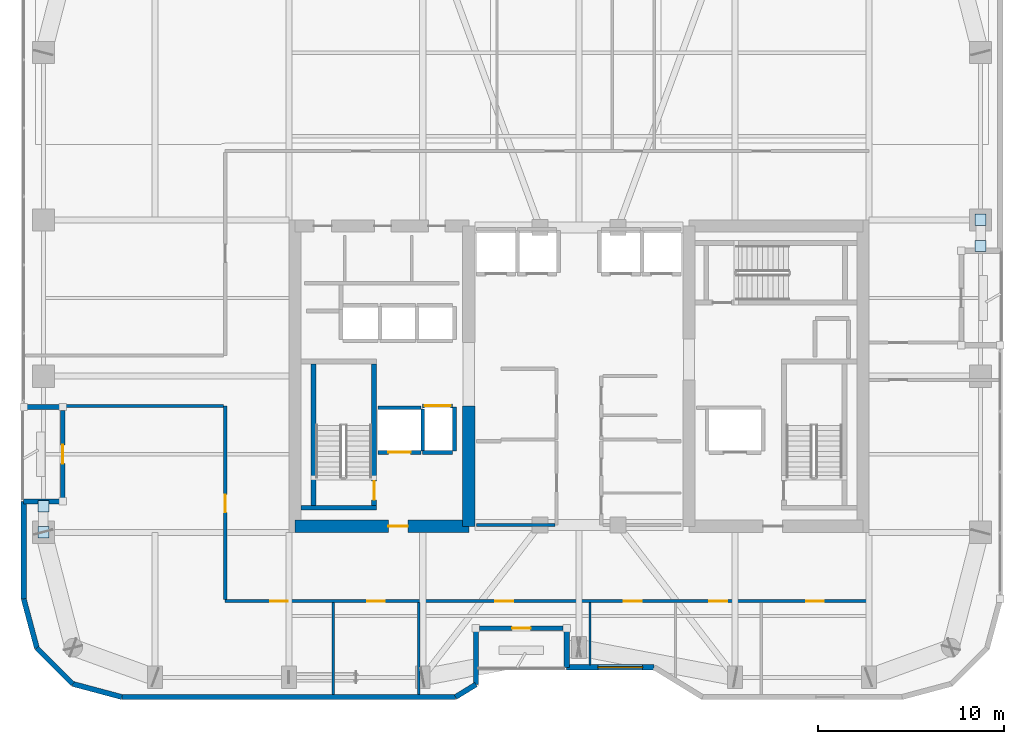
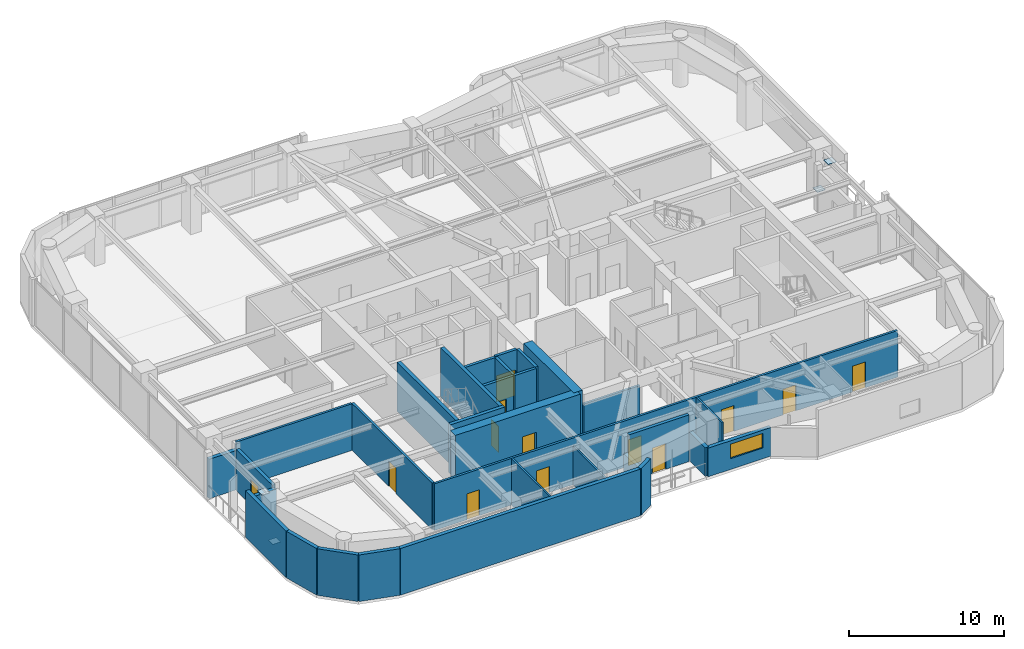
# One storey, part 24 of 30: 31 walls, 13 doors, 4 plates, 1 window, 14 openings.
"""IFC4 building model written with IfcOpenShell, lengths in metres."""

from ifc_helpers import new_model, si_unit, direction, frame, frame_2d, origin, origin_2d, place, context, subcontext, project, spatial, rectangle, extrude, material, layer, layer_set, type_object, element, fill, save


model = new_model("IFC4")

# Units and contexts
model_context = context("Model", 3, precision=1e-05, world=origin(), true_north=direction((0.0, 1.0)))
body_context = subcontext(model_context, "Body", "Model", "MODEL_VIEW")
ifc_project = project(units=[si_unit("LENGTHUNIT", "METRE"), si_unit("AREAUNIT", "SQUARE_METRE"), si_unit("VOLUMEUNIT", "CUBIC_METRE"), si_unit("PLANEANGLEUNIT", "RADIAN"), si_unit("MASSUNIT", "GRAM", prefix="KILO")], contexts=[model_context])

# Site, building, storey
site_placement = place(None, origin())
site = spatial("IfcSite", under=ifc_project, at=site_placement, CompositionType="ELEMENT")
building_placement = place(site_placement, origin())
building = spatial("IfcBuilding", under=site, at=building_placement, Name="Kiyonajd Concourse Tower", CompositionType="ELEMENT")
storey_placement = place(building_placement, frame((0.0, 0.0, 201.89990234375)))
storey = spatial("IfcBuildingStorey", under=building, at=storey_placement, Name="L51", CompositionType="ELEMENT", Elevation=201.89990234375)

# Plates
ifc_material_1 = material(Name="Steel ASTM A572 Grade 50", Category="steel")
ifc_layer_1 = layer(ifc_material_1, 0.028076171875)
ifc_layer_set_1 = layer_set([ifc_layer_1], Name="Steel ASTM A572 Grade 50")
plate_type = type_object("IfcPlateType", Name="PL-CAP-450", PredefinedType="USERDEFINED", material=ifc_layer_set_1)
for number, where, z_axis, x_axis, name in (
    (1, (19.199951171875, 27.595458984375, 0.27587890625), (0.0, 0.0, 1.0), (1.0, 0.0, 0.0), "L51 Hollow Brace End Cap Plate PBW"),
    (2, (19.199951171875, 29.004638671875, 3.326171875), (0.0, 0.0, 1.0), (1.0, 0.0, 0.0), "L51 Hollow Brace Top Cap Plate PBW"),
    (3, (69.60009765625, 44.404541015625, 0.27587890625), (0.0, 0.0, 1.0), (1.0, 0.0, 0.0), "L51 Hollow Brace End Cap Plate PBE"),
    (4, (69.60009765625, 42.995361328125, 3.326171875), (0.0, 0.0, 1.0), (1.0, 0.0, 0.0), "L51 Hollow Brace Top Cap Plate PBE"),
):
    element("IfcPlate", number, at=place(storey_placement, frame(where, z_axis=z_axis, x_axis=x_axis)), inside=storey, type_object=plate_type, Name=name, ObjectType="CAP PLATE", PredefinedType="USERDEFINED", context=body_context, shape_type="SweptSolid", body=[
        extrude(rectangle(XDim=0.60791015625, YDim=0.60791015625, at=origin_2d()), origin(), (0.0, 0.0, 1.0), 0.028076171875),
    ])

# Wall
ifc_material_2 = material(Name="Concrete C60/75", Category="concrete")
ifc_layer_2 = layer(ifc_material_2, 0.64990234375)
ifc_layer_set_2 = layer_set([ifc_layer_2], Name="Concrete C60/75")
wall_type_1 = type_object("IfcWallType", Name="WL-CORE-650", PredefinedType="SHEAR", material=ifc_layer_set_2)
wall_1_placement = place(storey_placement, frame((42.074951171875, 27.925048828125, 0.0), z_axis=(0.0, 0.0, 1.0), x_axis=(0.0, 1.0, 0.0)))
element("IfcWall", 5, at=wall_1_placement, inside=storey, type_object=wall_type_1, Name="L51 West Core Inner South Shear Wall", PredefinedType="SHEAR", context=body_context, shape_type="SweptSolid", body=[
    extrude(rectangle(XDim=6.474853515625, YDim=0.64990234375, at=frame_2d((3.2373046875, 0.0))), origin(), (0.0, 0.0, 1.0), 3.900146484375),
])

# Wall, opening, door
wall_2_placement = place(storey_placement, frame((32.72509765625, 27.925048828125, 0.0), z_axis=(0.0, 0.0, 1.0), x_axis=(1.0, 0.0, 0.0)))
wall_2 = element("IfcWall", 6, at=wall_2_placement, inside=storey, type_object=wall_type_1, Name="L51 West Core South Shear Wall", PredefinedType="SHEAR", context=body_context, shape_type="SweptSolid", body=[
    extrude(rectangle(XDim=9.349853515625, YDim=0.64990234375, at=frame_2d((4.6748046875, 0.0))), origin(), (0.0, 0.0, 1.0), 3.900146484375),
])
opening_1_placement = place(wall_2_placement, frame((5.02490234375, 0.0, 0.0)))
opening_1 = element("IfcOpeningElement", 7, at=opening_1_placement, cuts=wall_2, Name="Opening DF5", PredefinedType="OPENING", context=body_context, shape_type="SweptSolid", body=[
    extrude(rectangle(XDim=1.050048828125, YDim=2.0400390625, at=frame_2d((0.52490234375, 1.02001953125))), frame((0.0, 0.3349609375, 0.0), z_axis=(0.0, -1.0, 0.0), x_axis=(1.0, 0.0, 0.0)), (0.0, 0.0, 1.0), 0.669921875),
])
ifc_material_3 = material(Name="Brushed Stainless Steel Cab Assembly", Category="steel")
door_type_1 = type_object("IfcDoorType", Name="DR-FD45-1050", OperationType="NOTDEFINED", PredefinedType="DOOR", material=ifc_material_3)
door_1_placement = place(opening_1_placement, origin())
door_1 = element("IfcDoor", 8, at=door_1_placement, inside=storey, type_object=door_type_1, Name="L51 Firefighting Lift Lobby W Smoke Door", OperationType="SINGLE_SWING_LEFT", OverallHeight=2.0400390625, OverallWidth=1.050048828125, PredefinedType="DOOR", context=body_context, shape_type="SweptSolid", body=[
    extrude(rectangle(XDim=1.050048828125, YDim=2.0400390625, at=frame_2d((0.52490234375, 1.02001953125))), frame((0.0, 0.02490234375, 0.0), z_axis=(0.0, -1.0, 0.0), x_axis=(1.0, 0.0, 0.0)), (0.0, 0.0, 1.0), 0.050048828125),
])
fill(opening_1, door_1)

# Walls
ifc_material_4 = material(Name="Precast concrete C50/60", Category="concrete")
ifc_layer_3 = layer(ifc_material_4, 0.280029296875)
ifc_layer_set_3 = layer_set([ifc_layer_3], Name="Precast concrete C50/60")
wall_type_2 = type_object("IfcWallType", Name="WL-EXT-280", PredefinedType="SOLIDWALL", material=ifc_layer_set_3)
wall_3_placement = place(storey_placement, frame((18.848388671875, 21.37255859375, 0.0), z_axis=(0.0, 0.0, 1.0), x_axis=(-0.258672222976, 0.9659651552, 0.0)))
element("IfcWall", 9, at=wall_3_placement, inside=storey, type_object=wall_type_2, Name="L51 Exterior Concrete Frame Wall 00", PredefinedType="SOLIDWALL", context=body_context, shape_type="SweptSolid", body=[
    extrude(rectangle(XDim=2.739013671875, YDim=0.280029296875, at=frame_2d((1.36962890625, 0.0))), origin(), (0.0, 0.0, 1.0), 3.68017578125),
])
wall_4_placement = place(storey_placement, frame((18.139892578125, 24.018310546875, 0.0), z_axis=(0.0, 0.0, 1.0), x_axis=(0.0, 1.0, 0.0)))
element("IfcWall", 10, at=wall_4_placement, inside=storey, type_object=wall_type_2, Name="L51 Exterior Concrete Frame Wall 01", PredefinedType="SOLIDWALL", context=body_context, shape_type="SweptSolid", body=[
    extrude(rectangle(XDim=5.24169921875, YDim=0.280029296875, at=frame_2d((2.620849609375, 0.0))), origin(), (0.0, 0.0, 1.0), 3.68017578125),
])
for number, where, z_axis, x_axis, name in (
    (11, (18.139892578125, 29.260009765625, 0.0), (0.0, 0.0, 1.0), (1.0, 0.0, 0.0), "L51 Exterior Concrete Frame Wall 02"),
    (12, (20.239990234375, 34.340087890625, 0.0), (0.0, 0.0, 1.0), (-1.0, 0.0, 0.0), "L51 Exterior Concrete Frame Wall 04"),
):
    element("IfcWall", number, at=place(storey_placement, frame(where, z_axis=z_axis, x_axis=x_axis)), inside=storey, type_object=wall_type_2, Name=name, PredefinedType="SOLIDWALL", context=body_context, shape_type="SweptSolid", body=[
        extrude(rectangle(XDim=2.10009765625, YDim=0.280029296875, at=frame_2d((1.050048828125, 0.0))), origin(), (0.0, 0.0, 1.0), 3.1162109375),
    ])

# Wall, opening, window
wall_5_placement = place(storey_placement, frame((52.03955078125, 20.340087890625, 0.0), z_axis=(0.0, 0.0, 1.0), x_axis=(-1.0, 0.0, 0.0)))
wall_5 = element("IfcWall", 13, at=wall_5_placement, inside=storey, type_object=wall_type_2, Name="L51 Exterior Concrete Frame Wall 30", PredefinedType="SOLIDWALL", context=body_context, shape_type="SweptSolid", body=[
    extrude(rectangle(XDim=4.699462890625, YDim=0.280029296875, at=frame_2d((2.349609375, 0.0))), origin(), (0.0, 0.0, 1.0), 2.26513671875),
])
opening_2_placement = place(wall_5_placement, frame((0.6201171875, 0.0, 0.85009765625)))
opening_2 = element("IfcOpeningElement", 14, at=opening_2_placement, cuts=wall_5, Name="Opening WN4", PredefinedType="OPENING", context=body_context, shape_type="SweptSolid", body=[
    extrude(rectangle(XDim=2.39990234375, YDim=1.14990234375, at=frame_2d((1.199951171875, 0.574951171875))), frame((0.0, 0.14990234375, 0.0), z_axis=(0.0, -1.0, 0.0), x_axis=(1.0, 0.0, 0.0)), (0.0, 0.0, 1.0), 0.300048828125),
])
ifc_material_5 = material(Name="Double Low-E Insulated Glass", Category="glass")
window_type = type_object("IfcWindowType", Name="WN-VIS-2400x1150", PartitioningType="SINGLE_PANEL", PredefinedType="WINDOW", material=ifc_material_5)
window_placement = place(opening_2_placement, origin())
window = element("IfcWindow", 15, at=window_placement, inside=storey, type_object=window_type, Name="L51 Modular Facade Vision Window 30", OverallHeight=1.14990234375, OverallWidth=2.39990234375, PartitioningType="SINGLE_PANEL", PredefinedType="WINDOW", context=body_context, shape_type="SweptSolid", body=[
    extrude(rectangle(XDim=2.39990234375, YDim=1.14990234375, at=frame_2d((1.199951171875, 0.574951171875))), frame((0.0, 0.030029296875, 0.0), z_axis=(0.0, -1.0, 0.0), x_axis=(1.0, 0.0, 0.0)), (0.0, 0.0, 1.0), 0.06005859375),
])
fill(opening_2, window)

# Walls
wall_6_placement = place(storey_placement, frame((47.340087890625, 20.340087890625, 0.0), z_axis=(0.0, 0.0, 1.0), x_axis=(0.0, 1.0, 0.0)))
element("IfcWall", 16, at=wall_6_placement, inside=storey, type_object=wall_type_2, Name="L51 Exterior Concrete Frame Wall 31", PredefinedType="SOLIDWALL", context=body_context, shape_type="SweptSolid", body=[
    extrude(rectangle(XDim=2.099853515625, YDim=0.280029296875, at=frame_2d((1.0498046875, 0.0))), origin(), (0.0, 0.0, 1.0), 2.26513671875),
])
wall_7_placement = place(storey_placement, frame((42.4599609375, 22.43994140625, 0.0), z_axis=(0.0, 0.0, 1.0), x_axis=(0.0, -1.0, 0.0)))
element("IfcWall", 17, at=wall_7_placement, inside=storey, type_object=wall_type_2, Name="L51 Exterior Concrete Frame Wall 33", PredefinedType="SOLIDWALL", context=body_context, shape_type="SweptSolid", body=[
    extrude(rectangle(XDim=3.023681640625, YDim=0.280029296875, at=frame_2d((1.51171875, 0.0))), origin(), (0.0, 0.0, 1.0), 2.26513671875),
])
wall_8_placement = place(storey_placement, frame((42.4599609375, 19.416259765625, 0.0), z_axis=(0.0, 0.0, 1.0), x_axis=(-0.851801140441, -0.523865266212, 0.0)))
element("IfcWall", 18, at=wall_8_placement, inside=storey, type_object=wall_type_2, Name="L51 Exterior Concrete Frame Wall 34", PredefinedType="SOLIDWALL", context=body_context, shape_type="SweptSolid", body=[
    extrude(rectangle(XDim=1.291015625, YDim=0.280029296875, at=frame_2d((0.6455078125, 0.0))), origin(), (0.0, 0.0, 1.0), 3.68017578125),
])
wall_9_placement = place(storey_placement, frame((41.3603515625, 18.739990234375, 0.0), z_axis=(0.0, 0.0, 1.0), x_axis=(-1.0, 0.0, 0.0)))
element("IfcWall", 19, at=wall_9_placement, inside=storey, type_object=wall_type_2, Name="L51 Exterior Concrete Frame Wall 35", PredefinedType="SOLIDWALL", context=body_context, shape_type="SweptSolid", body=[
    extrude(rectangle(XDim=17.94189453125, YDim=0.280029296875, at=frame_2d((8.970947265625, 0.0))), origin(), (0.0, 0.0, 1.0), 3.68017578125),
])
wall_10_placement = place(storey_placement, frame((23.41845703125, 18.739990234375, 0.0), z_axis=(0.0, 0.0, 1.0), x_axis=(-0.965971118627, 0.258649952598, 0.0)))
element("IfcWall", 20, at=wall_10_placement, inside=storey, type_object=wall_type_2, Name="L51 Exterior Concrete Frame Wall 36", PredefinedType="SOLIDWALL", context=body_context, shape_type="SweptSolid", body=[
    extrude(rectangle(XDim=2.7392578125, YDim=0.280029296875, at=frame_2d((1.36962890625, 0.0))), origin(), (0.0, 0.0, 1.0), 3.68017578125),
])
wall_11_placement = place(storey_placement, frame((20.7724609375, 19.448486328125, 0.0), z_axis=(0.0, 0.0, 1.0), x_axis=(-0.707106781187, 0.707106781187, 0.0)))
element("IfcWall", 21, at=wall_11_placement, inside=storey, type_object=wall_type_2, Name="L51 Exterior Concrete Frame Wall 37", PredefinedType="SOLIDWALL", context=body_context, shape_type="SweptSolid", body=[
    extrude(rectangle(XDim=2.720947265625, YDim=0.280029296875, at=frame_2d((1.3603515625, 0.0))), origin(), (0.0, 0.0, 1.0), 3.68017578125),
])

# Wall, opening, door
ifc_layer_4 = layer(ifc_material_4, 0.239990234375)
ifc_layer_set_4 = layer_set([ifc_layer_4], Name="Precast concrete C50/60")
wall_type_3 = type_object("IfcWallType", Name="WL-LOG-240", PredefinedType="SOLIDWALL", material=ifc_layer_set_4)
wall_12_placement = place(storey_placement, frame((20.239990234375, 29.455078125, 0.0), z_axis=(0.0, 0.0, 1.0), x_axis=(0.0, 1.0, 0.0)))
wall_12 = element("IfcWall", 22, at=wall_12_placement, inside=storey, type_object=wall_type_3, Name="L51 Recessed Loggia Thermal Wall LOG-W", PredefinedType="SOLIDWALL", context=body_context, shape_type="SweptSolid", body=[
    extrude(rectangle(XDim=4.68994140625, YDim=0.239990234375, at=frame_2d((2.344970703125, 0.0))), origin(), (0.0, 0.0, 1.0), 3.248046875),
])
opening_3_placement = place(wall_12_placement, frame((1.844970703125, 0.0, 0.0)))
opening_3 = element("IfcOpeningElement", 23, at=opening_3_placement, cuts=wall_12, Name="Opening DL1", PredefinedType="OPENING", context=body_context, shape_type="SweptSolid", body=[
    extrude(rectangle(XDim=1.0, YDim=2.02001953125, at=frame_2d((0.5, 1.010009765625))), frame((0.0, 0.1298828125, 0.0), z_axis=(0.0, -1.0, 0.0), x_axis=(1.0, 0.0, 0.0)), (0.0, 0.0, 1.0), 0.260009765625),
])
ifc_material_6 = material(Name="Thermally Broken Anodised Aluminium", Category="aluminium")
door_type_2 = type_object("IfcDoorType", Name="DR-LOG-1000", OperationType="NOTDEFINED", PredefinedType="DOOR", material=ifc_material_6)
door_2_placement = place(opening_3_placement, origin())
door_2 = element("IfcDoor", 24, at=door_2_placement, inside=storey, type_object=door_type_2, Name="L51 Engawa Loggia Access Door LOG-W", OperationType="SINGLE_SWING_LEFT", OverallHeight=2.02001953125, OverallWidth=1.0, PredefinedType="DOOR", context=body_context, shape_type="SweptSolid", body=[
    extrude(rectangle(XDim=1.0, YDim=2.02001953125, at=frame_2d((0.5, 1.010009765625))), frame((0.0, 0.02490234375, 0.0), z_axis=(0.0, -1.0, 0.0), x_axis=(1.0, 0.0, 0.0)), (0.0, 0.0, 1.0), 0.050048828125),
])
fill(opening_3, door_2)

wall_13_placement = place(storey_placement, frame((47.14501953125, 22.43994140625, 0.0), z_axis=(0.0, 0.0, 1.0), x_axis=(-1.0, 0.0, 0.0)))
wall_13 = element("IfcWall", 25, at=wall_13_placement, inside=storey, type_object=wall_type_3, Name="L51 Recessed Loggia Thermal Wall LOG-S", PredefinedType="SOLIDWALL", context=body_context, shape_type="SweptSolid", body=[
    extrude(rectangle(XDim=4.489990234375, YDim=0.239990234375, at=frame_2d((2.2451171875, 0.0))), origin(), (0.0, 0.0, 1.0), 3.68017578125),
])
opening_4_placement = place(wall_13_placement, frame((1.7451171875, 0.0, 0.0)))
opening_4 = element("IfcOpeningElement", 26, at=opening_4_placement, cuts=wall_13, Name="Opening DL1", PredefinedType="OPENING", context=body_context, shape_type="SweptSolid", body=[
    extrude(rectangle(XDim=1.0, YDim=2.02001953125, at=frame_2d((0.5, 1.010009765625))), frame((0.0, 0.1298828125, 0.0), z_axis=(0.0, -1.0, 0.0), x_axis=(1.0, 0.0, 0.0)), (0.0, 0.0, 1.0), 0.260009765625),
])
door_3_placement = place(opening_4_placement, origin())
door_3 = element("IfcDoor", 27, at=door_3_placement, inside=storey, type_object=door_type_2, Name="L51 Engawa Loggia Access Door LOG-S", OperationType="SINGLE_SWING_RIGHT", OverallHeight=2.02001953125, OverallWidth=1.0, PredefinedType="DOOR", context=body_context, shape_type="SweptSolid", body=[
    extrude(rectangle(XDim=1.0, YDim=2.02001953125, at=frame_2d((0.5, 1.010009765625))), frame((0.0, 0.02490234375, 0.0), z_axis=(0.0, -1.0, 0.0), x_axis=(1.0, 0.0, 0.0)), (0.0, 0.0, 1.0), 0.050048828125),
])
fill(opening_4, door_3)

# Walls
ifc_material_7 = material(Name="Gypsum Board on Cold-Formed Steel Stud", Category="steel")
ifc_layer_5 = layer(ifc_material_7, 0.125)
ifc_layer_set_5 = layer_set([ifc_layer_5], Name="Gypsum Board on Cold-Formed Steel Stud")
wall_type_4 = type_object("IfcWallType", Name="WL-PART-125", PredefinedType="PARTITIONING", material=ifc_layer_set_5)
wall_14_placement = place(storey_placement, frame((34.780029296875, 18.875, 0.0), z_axis=(0.0, 0.0, 1.0), x_axis=(0.0, 1.0, 0.0)))
element("IfcWall", 28, at=wall_14_placement, inside=storey, type_object=wall_type_4, Name="L51 Interior Partition Wall", PredefinedType="PARTITIONING", context=body_context, shape_type="SweptSolid", body=[
    extrude(rectangle(XDim=4.93798828125, YDim=0.125, at=frame_2d((2.468994140625, 0.0))), origin(), (0.0, 0.0, 1.0), 3.68017578125),
])
wall_15_placement = place(storey_placement, frame((39.3798828125, 18.875, 0.0), z_axis=(0.0, 0.0, 1.0), x_axis=(0.0, 1.0, 0.0)))
element("IfcWall", 29, at=wall_15_placement, inside=storey, type_object=wall_type_4, Name="L51 Interior Partition Wall", PredefinedType="PARTITIONING", context=body_context, shape_type="SweptSolid", body=[
    extrude(rectangle(XDim=4.93798828125, YDim=0.125, at=frame_2d((2.468994140625, 0.0))), origin(), (0.0, 0.0, 1.0), 3.043212890625),
])
wall_16_placement = place(storey_placement, frame((48.590087890625, 20.47509765625, 0.0), z_axis=(0.0, 0.0, 1.0), x_axis=(0.0, 1.0, 0.0)))
element("IfcWall", 30, at=wall_16_placement, inside=storey, type_object=wall_type_4, Name="L51 Interior Partition Wall", PredefinedType="PARTITIONING", context=body_context, shape_type="SweptSolid", body=[
    extrude(rectangle(XDim=3.337890625, YDim=0.125, at=frame_2d((1.6689453125, 0.0))), origin(), (0.0, 0.0, 1.0), 3.68017578125),
])

# Wall, opening, door
ifc_layer_6 = layer(ifc_material_7, 0.2099609375)
ifc_layer_set_6 = layer_set([ifc_layer_6], Name="Gypsum Board on Cold-Formed Steel Stud")
wall_type_5 = type_object("IfcWallType", Name="WL-SHAFT-210", PredefinedType="PARTITIONING", material=ifc_layer_set_6)
wall_17_placement = place(storey_placement, frame((37.199951171875, 31.89990234375, 0.0), z_axis=(0.0, 0.0, 1.0), x_axis=(1.0, 0.0, 0.0)))
wall_17 = element("IfcWall", 31, at=wall_17_placement, inside=storey, type_object=wall_type_5, Name="L51 Shaft Enclosure Wall", PredefinedType="PARTITIONING", context=body_context, shape_type="SweptSolid", body=[
    extrude(rectangle(XDim=2.300048828125, YDim=0.2099609375, at=frame_2d((1.14990234375, 0.0))), origin(), (0.0, 0.0, 1.0), 3.68017578125),
])
opening_5_placement = place(wall_17_placement, frame((0.550048828125, 0.0, 0.0)))
opening_5 = element("IfcOpeningElement", 32, at=opening_5_placement, cuts=wall_17, Name="Opening LD2", PredefinedType="OPENING", context=body_context, shape_type="SweptSolid", body=[
    extrude(rectangle(XDim=1.199951171875, YDim=2.0400390625, at=frame_2d((0.60009765625, 1.02001953125))), frame((0.0, 0.114990234375, 0.0), z_axis=(0.0, -1.0, 0.0), x_axis=(1.0, 0.0, 0.0)), (0.0, 0.0, 1.0), 0.22998046875),
])
door_type_3 = type_object("IfcDoorType", Name="DR-LD-1200", OperationType="DOUBLE_DOOR_SLIDING", PredefinedType="DOOR", material=ifc_material_3)
door_4_placement = place(opening_5_placement, origin())
door_4 = element("IfcDoor", 33, at=door_4_placement, inside=storey, type_object=door_type_3, Name="L51 Lift FFL1 Sliding Landing Door", OperationType="DOUBLE_DOOR_SLIDING", OverallHeight=2.0400390625, OverallWidth=1.199951171875, PredefinedType="DOOR", context=body_context, shape_type="SweptSolid", body=[
    extrude(rectangle(XDim=1.199951171875, YDim=2.0400390625, at=frame_2d((0.60009765625, 1.02001953125))), frame((0.0, 0.02490234375, 0.0), z_axis=(0.0, -1.0, 0.0), x_axis=(1.0, 0.0, 0.0)), (0.0, 0.0, 1.0), 0.050048828125),
])
fill(opening_5, door_4)

# Walls
wall_18_placement = place(storey_placement, frame((37.199951171875, 34.300048828125, 0.0), z_axis=(0.0, 0.0, 1.0), x_axis=(1.0, 0.0, 0.0)))
element("IfcWall", 34, at=wall_18_placement, inside=storey, type_object=wall_type_5, Name="L51 Shaft Enclosure Wall", PredefinedType="PARTITIONING", context=body_context, shape_type="SweptSolid", body=[
    extrude(rectangle(XDim=2.300048828125, YDim=0.2099609375, at=frame_2d((1.14990234375, 0.0))), origin(), (0.0, 0.0, 1.0), 3.68017578125),
])
wall_19_placement = place(storey_placement, frame((39.60009765625, 31.9599609375, 0.0), z_axis=(0.0, 0.0, 1.0), x_axis=(0.0, 1.0, 0.0)))
element("IfcWall", 35, at=wall_19_placement, inside=storey, type_object=wall_type_5, Name="L51 Shaft Enclosure Wall", PredefinedType="PARTITIONING", context=body_context, shape_type="SweptSolid", body=[
    extrude(rectangle(XDim=2.280029296875, YDim=0.2099609375, at=frame_2d((1.14013671875, 0.0))), origin(), (0.0, 0.0, 1.0), 3.68017578125),
])

# Wall, opening, door
wall_20_placement = place(storey_placement, frame((39.60009765625, 34.39990234375, 0.0), z_axis=(0.0, 0.0, 1.0), x_axis=(1.0, 0.0, 0.0)))
wall_20 = element("IfcWall", 36, at=wall_20_placement, inside=storey, type_object=wall_type_5, Name="L51 Shaft Enclosure Wall", PredefinedType="PARTITIONING", context=body_context, shape_type="SweptSolid", body=[
    extrude(rectangle(XDim=1.599853515625, YDim=0.2099609375, at=frame_2d((0.7998046875, 0.0))), origin(), (0.0, 0.0, 1.0), 3.68017578125),
])
opening_6_placement = place(wall_20_placement, frame((0.10009765625, 0.0, 0.0)))
opening_6 = element("IfcOpeningElement", 37, at=opening_6_placement, cuts=wall_20, Name="Opening LD3", PredefinedType="OPENING", context=body_context, shape_type="SweptSolid", body=[
    extrude(rectangle(XDim=1.39990234375, YDim=2.06005859375, at=frame_2d((0.699951171875, 1.030029296875))), frame((0.0, 0.114990234375, 0.0), z_axis=(0.0, -1.0, 0.0), x_axis=(1.0, 0.0, 0.0)), (0.0, 0.0, 1.0), 0.22998046875),
])
door_type_4 = type_object("IfcDoorType", Name="DR-LD-1400", OperationType="DOUBLE_DOOR_SLIDING", PredefinedType="DOOR", material=ifc_material_3)
door_5_placement = place(opening_6_placement, origin())
door_5 = element("IfcDoor", 38, at=door_5_placement, inside=storey, type_object=door_type_4, Name="L51 Lift SVL1 Sliding Landing Door", OperationType="DOUBLE_DOOR_SLIDING", OverallHeight=2.06005859375, OverallWidth=1.39990234375, PredefinedType="DOOR", context=body_context, shape_type="SweptSolid", body=[
    extrude(rectangle(XDim=1.39990234375, YDim=2.06005859375, at=frame_2d((0.699951171875, 1.030029296875))), frame((0.0, 0.02490234375, 0.0), z_axis=(0.0, -1.0, 0.0), x_axis=(1.0, 0.0, 0.0)), (0.0, 0.0, 1.0), 0.050048828125),
])
fill(opening_6, door_5)

# Walls
wall_21_placement = place(storey_placement, frame((39.60009765625, 31.89990234375, 0.0), z_axis=(0.0, 0.0, 1.0), x_axis=(1.0, 0.0, 0.0)))
element("IfcWall", 39, at=wall_21_placement, inside=storey, type_object=wall_type_5, Name="L51 Shaft Enclosure Wall", PredefinedType="PARTITIONING", context=body_context, shape_type="SweptSolid", body=[
    extrude(rectangle(XDim=1.599853515625, YDim=0.2099609375, at=frame_2d((0.7998046875, 0.0))), origin(), (0.0, 0.0, 1.0), 3.68017578125),
])
wall_22_placement = place(storey_placement, frame((41.300048828125, 31.9599609375, 0.0), z_axis=(0.0, 0.0, 1.0), x_axis=(0.0, 1.0, 0.0)))
element("IfcWall", 40, at=wall_22_placement, inside=storey, type_object=wall_type_5, Name="L51 Shaft Enclosure Wall", PredefinedType="PARTITIONING", context=body_context, shape_type="SweptSolid", body=[
    extrude(rectangle(XDim=2.380126953125, YDim=0.2099609375, at=frame_2d((1.18994140625, 0.0))), origin(), (0.0, 0.0, 1.0), 3.68017578125),
])
ifc_layer_7 = layer(ifc_material_7, 0.169921875)
ifc_layer_set_7 = layer_set([ifc_layer_7], Name="Gypsum Board on Cold-Formed Steel Stud")
wall_type_6 = type_object("IfcWallType", Name="WL-SMK-170", PredefinedType="PARTITIONING", material=ifc_layer_set_7)
wall_23_placement = place(storey_placement, frame((42.5, 28.0, 0.0), z_axis=(0.0, 0.0, 1.0), x_axis=(1.0, 0.0, 0.0)))
element("IfcWall", 41, at=wall_23_placement, inside=storey, type_object=wall_type_6, Name="L51 Interior Partition Wall", PredefinedType="PARTITIONING", context=body_context, shape_type="SweptSolid", body=[
    extrude(rectangle(XDim=4.212890625, YDim=0.169921875, at=frame_2d((2.1064453125, 0.0))), origin(), (0.0, 0.0, 1.0), 2.76513671875),
])

# Wall, openings, doors
wall_24_placement = place(storey_placement, frame((28.97509765625, 23.89990234375, 0.0), z_axis=(0.0, 0.0, 1.0), x_axis=(1.0, 0.0, 0.0)))
wall_24 = element("IfcWall", 42, at=wall_24_placement, inside=storey, type_object=wall_type_6, Name="L51 Interior Partition Wall", PredefinedType="PARTITIONING", context=body_context, shape_type="SweptSolid", body=[
    extrude(rectangle(XDim=34.625, YDim=0.169921875, at=frame_2d((17.3125, 0.0))), origin(), (0.0, 0.0, 1.0), 3.68017578125),
])
opening_7_placement = place(wall_24_placement, frame((2.427001953125, 0.0, 0.0)))
opening_7 = element("IfcOpeningElement", 43, at=opening_7_placement, cuts=wall_24, Name="Opening DI1", PredefinedType="OPENING", context=body_context, shape_type="SweptSolid", body=[
    extrude(rectangle(XDim=0.949951171875, YDim=2.0400390625, at=frame_2d((0.47509765625, 1.02001953125))), frame((0.0, 0.094970703125, 0.0), z_axis=(0.0, -1.0, 0.0), x_axis=(1.0, 0.0, 0.0)), (0.0, 0.0, 1.0), 0.18994140625),
])
opening_8_placement = place(wall_24_placement, frame((7.6298828125, 0.0, 0.0)))
opening_8 = element("IfcOpeningElement", 44, at=opening_8_placement, cuts=wall_24, Name="Opening DI1", PredefinedType="OPENING", context=body_context, shape_type="SweptSolid", body=[
    extrude(rectangle(XDim=0.949951171875, YDim=2.0400390625, at=frame_2d((0.47509765625, 1.02001953125))), frame((0.0, 0.094970703125, 0.0), z_axis=(0.0, -1.0, 0.0), x_axis=(1.0, 0.0, 0.0)), (0.0, 0.0, 1.0), 0.18994140625),
])
opening_9_placement = place(wall_24_placement, frame((14.534912109375, 0.0, 0.0)))
opening_9 = element("IfcOpeningElement", 45, at=opening_9_placement, cuts=wall_24, Name="Opening DI1", PredefinedType="OPENING", context=body_context, shape_type="SweptSolid", body=[
    extrude(rectangle(XDim=0.949951171875, YDim=2.0400390625, at=frame_2d((0.47509765625, 1.02001953125))), frame((0.0, 0.094970703125, 0.0), z_axis=(0.0, -1.0, 0.0), x_axis=(1.0, 0.0, 0.0)), (0.0, 0.0, 1.0), 0.18994140625),
])
opening_10_placement = place(wall_24_placement, frame((21.43994140625, 0.0, 0.0)))
opening_10 = element("IfcOpeningElement", 46, at=opening_10_placement, cuts=wall_24, Name="Opening DI1", PredefinedType="OPENING", context=body_context, shape_type="SweptSolid", body=[
    extrude(rectangle(XDim=0.949951171875, YDim=2.0400390625, at=frame_2d((0.47509765625, 1.02001953125))), frame((0.0, 0.094970703125, 0.0), z_axis=(0.0, -1.0, 0.0), x_axis=(1.0, 0.0, 0.0)), (0.0, 0.0, 1.0), 0.18994140625),
])
opening_11_placement = place(wall_24_placement, frame((26.044921875, 0.0, 0.0)))
opening_11 = element("IfcOpeningElement", 47, at=opening_11_placement, cuts=wall_24, Name="Opening DI1", PredefinedType="OPENING", context=body_context, shape_type="SweptSolid", body=[
    extrude(rectangle(XDim=0.949951171875, YDim=2.0400390625, at=frame_2d((0.47509765625, 1.02001953125))), frame((0.0, 0.094970703125, 0.0), z_axis=(0.0, -1.0, 0.0), x_axis=(1.0, 0.0, 0.0)), (0.0, 0.0, 1.0), 0.18994140625),
])
opening_12_placement = place(wall_24_placement, frame((31.25, 0.0, 0.0)))
opening_12 = element("IfcOpeningElement", 48, at=opening_12_placement, cuts=wall_24, Name="Opening DI1", PredefinedType="OPENING", context=body_context, shape_type="SweptSolid", body=[
    extrude(rectangle(XDim=0.949951171875, YDim=2.0400390625, at=frame_2d((0.47509765625, 1.02001953125))), frame((0.0, 0.094970703125, 0.0), z_axis=(0.0, -1.0, 0.0), x_axis=(1.0, 0.0, 0.0)), (0.0, 0.0, 1.0), 0.18994140625),
])
ifc_material_8 = material(Name="Natural Oak Acoustic Timber Veneer", Category="wood")
door_type_5 = type_object("IfcDoorType", Name="DR-INT-950", OperationType="NOTDEFINED", PredefinedType="DOOR", material=ifc_material_8)
door_6_placement = place(opening_7_placement, origin())
door_6 = element("IfcDoor", 49, at=door_6_placement, inside=storey, type_object=door_type_5, Name="L51 Interior Door", OperationType="SINGLE_SWING_RIGHT", OverallHeight=2.0400390625, OverallWidth=0.949951171875, PredefinedType="DOOR", context=body_context, shape_type="SweptSolid", body=[
    extrude(rectangle(XDim=0.949951171875, YDim=2.0400390625, at=frame_2d((0.47509765625, 1.02001953125))), frame((0.0, 0.02490234375, 0.0), z_axis=(0.0, -1.0, 0.0), x_axis=(1.0, 0.0, 0.0)), (0.0, 0.0, 1.0), 0.050048828125),
])
fill(opening_7, door_6)
door_7_placement = place(opening_8_placement, origin())
door_7 = element("IfcDoor", 50, at=door_7_placement, inside=storey, type_object=door_type_5, Name="L51 Interior Door", OperationType="SINGLE_SWING_LEFT", OverallHeight=2.0400390625, OverallWidth=0.949951171875, PredefinedType="DOOR", context=body_context, shape_type="SweptSolid", body=[
    extrude(rectangle(XDim=0.949951171875, YDim=2.0400390625, at=frame_2d((0.47509765625, 1.02001953125))), frame((0.0, 0.02490234375, 0.0), z_axis=(0.0, -1.0, 0.0), x_axis=(1.0, 0.0, 0.0)), (0.0, 0.0, 1.0), 0.050048828125),
])
fill(opening_8, door_7)
door_8_placement = place(opening_9_placement, origin())
door_8 = element("IfcDoor", 51, at=door_8_placement, inside=storey, type_object=door_type_5, Name="L51 Interior Door", OperationType="SINGLE_SWING_RIGHT", OverallHeight=2.0400390625, OverallWidth=0.949951171875, PredefinedType="DOOR", context=body_context, shape_type="SweptSolid", body=[
    extrude(rectangle(XDim=0.949951171875, YDim=2.0400390625, at=frame_2d((0.47509765625, 1.02001953125))), frame((0.0, 0.02490234375, 0.0), z_axis=(0.0, -1.0, 0.0), x_axis=(1.0, 0.0, 0.0)), (0.0, 0.0, 1.0), 0.050048828125),
])
fill(opening_9, door_8)
door_9_placement = place(opening_10_placement, origin())
door_9 = element("IfcDoor", 52, at=door_9_placement, inside=storey, type_object=door_type_5, Name="L51 Interior Door", OperationType="SINGLE_SWING_LEFT", OverallHeight=2.0400390625, OverallWidth=0.949951171875, PredefinedType="DOOR", context=body_context, shape_type="SweptSolid", body=[
    extrude(rectangle(XDim=0.949951171875, YDim=2.0400390625, at=frame_2d((0.47509765625, 1.02001953125))), frame((0.0, 0.02490234375, 0.0), z_axis=(0.0, -1.0, 0.0), x_axis=(1.0, 0.0, 0.0)), (0.0, 0.0, 1.0), 0.050048828125),
])
fill(opening_10, door_9)
door_10_placement = place(opening_11_placement, origin())
door_10 = element("IfcDoor", 53, at=door_10_placement, inside=storey, type_object=door_type_5, Name="L51 Interior Door", OperationType="SINGLE_SWING_RIGHT", OverallHeight=2.0400390625, OverallWidth=0.949951171875, PredefinedType="DOOR", context=body_context, shape_type="SweptSolid", body=[
    extrude(rectangle(XDim=0.949951171875, YDim=2.0400390625, at=frame_2d((0.47509765625, 1.02001953125))), frame((0.0, 0.02490234375, 0.0), z_axis=(0.0, -1.0, 0.0), x_axis=(1.0, 0.0, 0.0)), (0.0, 0.0, 1.0), 0.050048828125),
])
fill(opening_11, door_10)
door_11_placement = place(opening_12_placement, origin())
door_11 = element("IfcDoor", 54, at=door_11_placement, inside=storey, type_object=door_type_5, Name="L51 Interior Door", OperationType="SINGLE_SWING_LEFT", OverallHeight=2.0400390625, OverallWidth=0.949951171875, PredefinedType="DOOR", context=body_context, shape_type="SweptSolid", body=[
    extrude(rectangle(XDim=0.949951171875, YDim=2.0400390625, at=frame_2d((0.47509765625, 1.02001953125))), frame((0.0, 0.02490234375, 0.0), z_axis=(0.0, -1.0, 0.0), x_axis=(1.0, 0.0, 0.0)), (0.0, 0.0, 1.0), 0.050048828125),
])
fill(opening_12, door_11)

# Wall, opening, door
wall_25_placement = place(storey_placement, frame((28.97509765625, 23.987060546875, 0.0), z_axis=(0.0, 0.0, 1.0), x_axis=(0.0, 1.0, 0.0)))
wall_25 = element("IfcWall", 55, at=wall_25_placement, inside=storey, type_object=wall_type_6, Name="L51 Interior Partition Wall", PredefinedType="PARTITIONING", context=body_context, shape_type="SweptSolid", body=[
    extrude(rectangle(XDim=10.412841796875, YDim=0.169921875, at=frame_2d((5.20654296875, 0.0))), origin(), (0.0, 0.0, 1.0), 3.68017578125),
])
opening_13_placement = place(wall_25_placement, frame((4.68798828125, 0.0, 0.0)))
opening_13 = element("IfcOpeningElement", 56, at=opening_13_placement, cuts=wall_25, Name="Opening DI1", PredefinedType="OPENING", context=body_context, shape_type="SweptSolid", body=[
    extrude(rectangle(XDim=0.949951171875, YDim=2.0400390625, at=frame_2d((0.47509765625, 1.02001953125))), frame((0.0, 0.094970703125, 0.0), z_axis=(0.0, -1.0, 0.0), x_axis=(1.0, 0.0, 0.0)), (0.0, 0.0, 1.0), 0.18994140625),
])
door_12_placement = place(opening_13_placement, origin())
door_12 = element("IfcDoor", 57, at=door_12_placement, inside=storey, type_object=door_type_5, Name="L51 Interior Door", OperationType="SINGLE_SWING_RIGHT", OverallHeight=2.0400390625, OverallWidth=0.949951171875, PredefinedType="DOOR", context=body_context, shape_type="SweptSolid", body=[
    extrude(rectangle(XDim=0.949951171875, YDim=2.0400390625, at=frame_2d((0.47509765625, 1.02001953125))), frame((0.0, 0.02490234375, 0.0), z_axis=(0.0, -1.0, 0.0), x_axis=(1.0, 0.0, 0.0)), (0.0, 0.0, 1.0), 0.050048828125),
])
fill(opening_13, door_12)

# Walls
wall_26_placement = place(storey_placement, frame((20.239990234375, 34.39990234375, 0.0), z_axis=(0.0, 0.0, 1.0), x_axis=(1.0, 0.0, 0.0)))
element("IfcWall", 58, at=wall_26_placement, inside=storey, type_object=wall_type_6, Name="L51 Interior Partition Wall", PredefinedType="PARTITIONING", context=body_context, shape_type="SweptSolid", body=[
    extrude(rectangle(XDim=8.64794921875, YDim=0.169921875, at=frame_2d((4.323974609375, 0.0))), origin(), (0.0, 0.0, 1.0), 3.68017578125),
])
ifc_material_9 = material(Name="Concrete C50/60", Category="concrete")
ifc_layer_8 = layer(ifc_material_9, 0.260009765625)
ifc_layer_set_8 = layer_set([ifc_layer_8], Name="Concrete C50/60")
wall_type_7 = type_object("IfcWallType", Name="WL-STAIR-260", PredefinedType="SHEAR", material=ifc_layer_set_8)
wall_27_placement = place(storey_placement, frame((33.050048828125, 28.919921875, 0.0), z_axis=(0.0, 0.0, 1.0), x_axis=(1.0, 0.0, 0.0)))
element("IfcWall", 59, at=wall_27_placement, inside=storey, type_object=wall_type_7, Name="L51 Stair ST1 Structural South Wall", PredefinedType="SHEAR", context=body_context, shape_type="SweptSolid", body=[
    extrude(rectangle(XDim=4.06005859375, YDim=0.260009765625, at=frame_2d((2.030029296875, 0.0))), origin(), (0.0, 0.0, 1.0), 3.900146484375),
])
wall_28_placement = place(storey_placement, frame((33.719970703125, 29.050048828125, 0.0), z_axis=(0.0, 0.0, 1.0), x_axis=(0.0, 1.0, 0.0)))
element("IfcWall", 60, at=wall_28_placement, inside=storey, type_object=wall_type_7, Name="L51 Stair ST1 Structural West Wall", PredefinedType="SHEAR", context=body_context, shape_type="SweptSolid", body=[
    extrude(rectangle(XDim=7.599853515625, YDim=0.260009765625, at=frame_2d((3.7998046875, 0.0))), origin(), (0.0, 0.0, 1.0), 3.900146484375),
])

# Wall, opening, door
wall_29_placement = place(storey_placement, frame((36.97998046875, 29.050048828125, 0.0), z_axis=(0.0, 0.0, 1.0), x_axis=(0.0, 1.0, 0.0)))
wall_29 = element("IfcWall", 61, at=wall_29_placement, inside=storey, type_object=wall_type_7, Name="L51 Stair ST1 Structural East Wall", PredefinedType="SHEAR", context=body_context, shape_type="SweptSolid", body=[
    extrude(rectangle(XDim=7.599853515625, YDim=0.260009765625, at=frame_2d((3.7998046875, 0.0))), origin(), (0.0, 0.0, 1.0), 3.900146484375),
])
opening_14_placement = place(wall_29_placement, frame((0.300048828125, 0.0, 0.0)))
opening_14 = element("IfcOpeningElement", 62, at=opening_14_placement, cuts=wall_29, Name="Opening DF1", PredefinedType="OPENING", context=body_context, shape_type="SweptSolid", body=[
    extrude(rectangle(XDim=1.0, YDim=2.0400390625, at=frame_2d((0.5, 1.02001953125))), frame((0.0, 0.139892578125, 0.0), z_axis=(0.0, -1.0, 0.0), x_axis=(1.0, 0.0, 0.0)), (0.0, 0.0, 1.0), 0.280029296875),
])
door_type_6 = type_object("IfcDoorType", Name="DR-FD90-1000", OperationType="NOTDEFINED", PredefinedType="DOOR", material=ifc_material_3)
door_13_placement = place(opening_14_placement, origin())
door_13 = element("IfcDoor", 63, at=door_13_placement, inside=storey, type_object=door_type_6, Name="L51 Stair ST1 FSAE Door", OperationType="SINGLE_SWING_LEFT", OverallHeight=2.0400390625, OverallWidth=1.0, PredefinedType="DOOR", context=body_context, shape_type="SweptSolid", body=[
    extrude(rectangle(XDim=1.0, YDim=2.0400390625, at=frame_2d((0.5, 1.02001953125))), frame((0.0, 0.02490234375, 0.0), z_axis=(0.0, -1.0, 0.0), x_axis=(1.0, 0.0, 0.0)), (0.0, 0.0, 1.0), 0.050048828125),
])
fill(opening_14, door_13)

save(model, "model.ifc")
